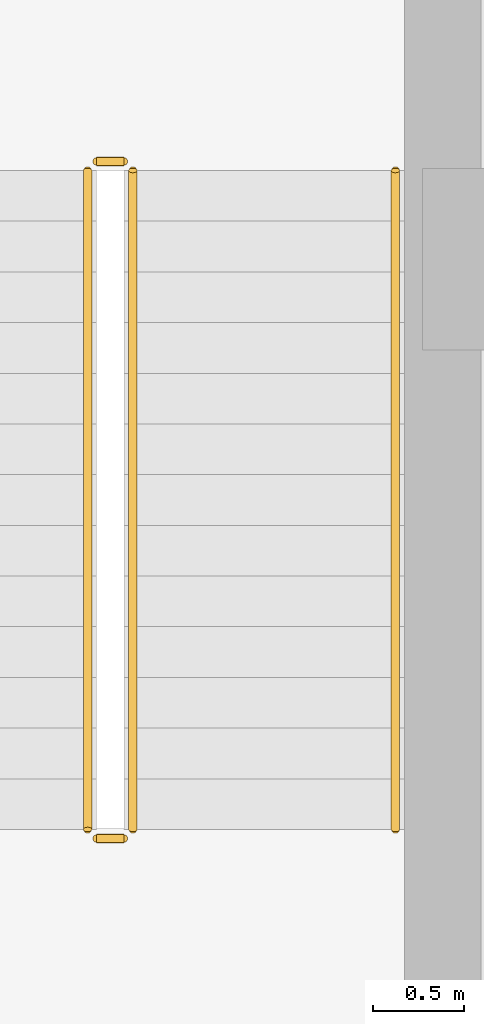
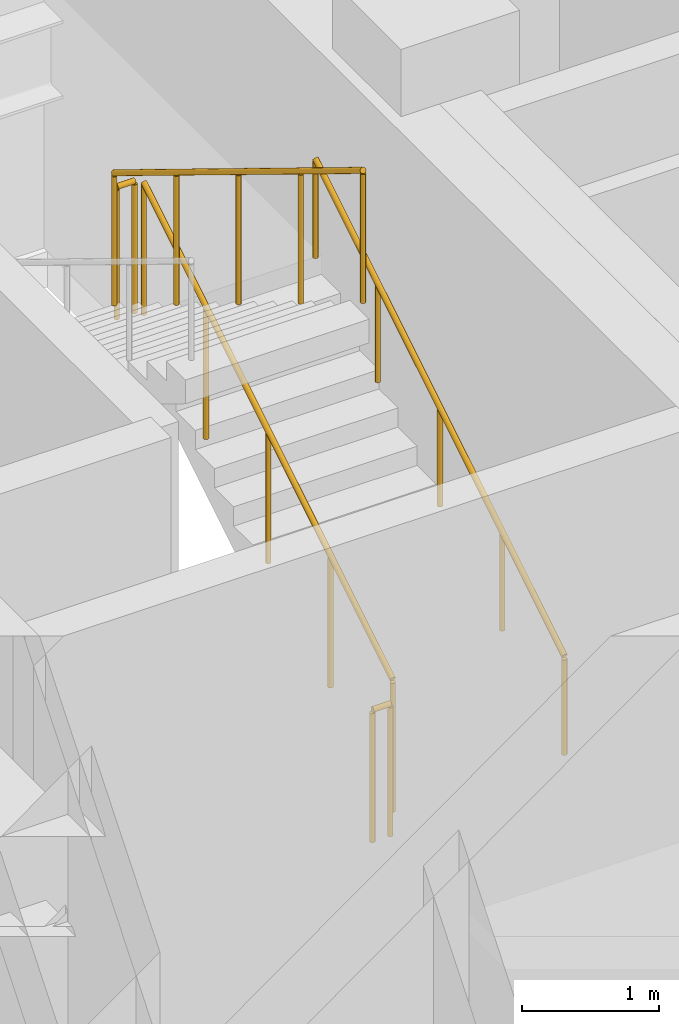
# One storey, part 34 of 35: 5 railings.
"""IFC4 building model written with IfcOpenShell, lengths in metres."""

from ifc_helpers import new_model, si_unit, direction, frame, origin, origin_2d, place, context, subcontext, project, spatial, circle, extrude, source, transform, mapped, material, type_object, element, save


model = new_model("IFC4")

# Units and contexts
model_context = context("Model", 3, precision=1e-05, world=origin(), true_north=direction((0.0, 1.0)))
body_context = subcontext(model_context, "Body", "Model", "MODEL_VIEW")
ifc_project = project(units=[si_unit("LENGTHUNIT", "METRE"), si_unit("AREAUNIT", "SQUARE_METRE"), si_unit("VOLUMEUNIT", "CUBIC_METRE"), si_unit("PLANEANGLEUNIT", "RADIAN"), si_unit("MASSUNIT", "GRAM", prefix="KILO")], contexts=[model_context])

# Site, building, storey
site_placement = place(None, origin())
site = spatial("IfcSite", under=ifc_project, at=site_placement, CompositionType="ELEMENT")
building_placement = place(site_placement, origin())
building = spatial("IfcBuilding", under=site, at=building_placement, Name="Khorayat Bourse Tower", CompositionType="ELEMENT")
storey_placement = place(building_placement, frame((0.0, 0.0, 22.199951171875)))
storey = spatial("IfcBuildingStorey", under=building, at=storey_placement, Name="L04", CompositionType="ELEMENT", Elevation=22.199951171875)

# Railings
ifc_material_1 = material(Name="Powder-coated steel balustrade", Category="steel")
railing_type_1 = type_object("IfcRailingType", Name="RLG-GUARD-1200", PredefinedType="GUARDRAIL", material=ifc_material_1)
shared_shape_1 = source(origin(), body_context, "Body", "SweptSolid", [
    extrude(circle(Radius=0.02392578125, at=origin_2d()), frame((0.0, 0.0, 1.17578125), z_axis=(-1.0, 0.0, 0.0), x_axis=(0.0, -1.0, 0.0)), (0.0, 0.0, 1.0), 0.150146484375),
    extrude(circle(Radius=0.02099609375, at=origin_2d()), origin(), (0.0, 0.0, 1.0), 1.15185546875),
    extrude(circle(Radius=0.02099609375, at=origin_2d()), frame((-0.150146484375, 0.0, 0.0)), (0.0, 0.0, 1.0), 1.15185546875),
])
for number, where, name in (
    (1, (-6.64990234375, 6.5400390625, 2.400146484375), "L04 ST-2 stair guard 2"),
    (2, (-6.64990234375, 2.800048828125, 0.0), "L04 ST-2 stair guard 4"),
):
    element("IfcRailing", number, at=place(storey_placement, frame(where)), inside=storey, type_object=railing_type_1, Name=name, PredefinedType="GUARDRAIL", context=body_context, shape_type="MappedRepresentation", body=[
        mapped(shared_shape_1, transform((0.0, 0.0, 0.0), scale=1.0)),
    ])
shared_shape_2 = source(origin(), body_context, "Body", "SweptSolid", [
    extrude(circle(Radius=0.02392578125, at=origin_2d()), frame((0.0, 0.0, 1.17578125), z_axis=(0.0, -0.852850264322, 0.5221555579), x_axis=(1.0, 0.0, 0.0)), (0.0, 0.0, 1.0), 4.267822265625),
    extrude(circle(Radius=0.02099609375, at=origin_2d()), origin(), (0.0, 0.0, 1.0), 1.15185546875),
    extrude(circle(Radius=0.02099609375, at=origin_2d()), frame((0.0, -0.909912109375, 0.55712890625)), (0.0, 0.0, 1.0), 1.15185546875),
    extrude(circle(Radius=0.02099609375, at=origin_2d()), frame((0.0, -1.81982421875, 1.1142578125)), (0.0, 0.0, 1.0), 1.15185546875),
    extrude(circle(Radius=0.02099609375, at=origin_2d()), frame((0.0, -2.72998046875, 1.67138671875)), (0.0, 0.0, 1.0), 1.15185546875),
    extrude(circle(Radius=0.02099609375, at=origin_2d()), frame((0.0, -3.639892578125, 2.228515625)), (0.0, 0.0, 1.0), 1.15185546875),
])
railing_1_placement = place(storey_placement, frame((-6.85009765625, 6.489990234375, 2.571533203125)))
element("IfcRailing", 3, at=railing_1_placement, inside=storey, type_object=railing_type_1, Name="L04 ST-2 stair guard 3", PredefinedType="GUARDRAIL", context=body_context, shape_type="MappedRepresentation", body=[
    mapped(shared_shape_2, transform((0.0, 0.0, 0.0), scale=1.0)),
])
shared_shape_3 = source(origin(), body_context, "Body", "SweptSolid", [
    extrude(circle(Radius=0.02392578125, at=origin_2d()), frame((0.0, 0.0, 1.17578125), z_axis=(0.0, 0.852824790078, 0.522197163366), x_axis=(-1.0, 0.0, 0.0)), (0.0, 0.0, 1.0), 4.26806640625),
    extrude(circle(Radius=0.02099609375, at=origin_2d()), origin(), (0.0, 0.0, 1.0), 1.15185546875),
    extrude(circle(Radius=0.02099609375, at=origin_2d()), frame((0.0, 0.909912109375, 0.55712890625)), (0.0, 0.0, 1.0), 1.15185546875),
    extrude(circle(Radius=0.02099609375, at=origin_2d()), frame((0.0, 1.81982421875, 1.1142578125)), (0.0, 0.0, 1.0), 1.15185546875),
    extrude(circle(Radius=0.02099609375, at=origin_2d()), frame((0.0, 2.72998046875, 1.671630859375)), (0.0, 0.0, 1.0), 1.15185546875),
    extrude(circle(Radius=0.02099609375, at=origin_2d()), frame((0.0, 3.639892578125, 2.228759765625)), (0.0, 0.0, 1.0), 1.15185546875),
])
railing_2_placement = place(storey_placement, frame((-6.60009765625, 2.85009765625, 0.17138671875)))
element("IfcRailing", 4, at=railing_2_placement, inside=storey, type_object=railing_type_1, Name="L04 ST-2 stair guard 1", PredefinedType="GUARDRAIL", context=body_context, shape_type="MappedRepresentation", body=[
    mapped(shared_shape_3, transform((0.0, 0.0, 0.0), scale=1.0)),
])
ifc_material_2 = material(Name="Brushed bronze stainless-steel handrail", Category="steel")
railing_type_2 = type_object("IfcRailingType", Name="RLG-HAND-900", PredefinedType="HANDRAIL", material=ifc_material_2)
shared_shape_4 = source(origin(), body_context, "Body", "SweptSolid", [
    extrude(circle(Radius=0.02392578125, at=origin_2d()), frame((0.0, 0.0, 0.8759765625), z_axis=(0.0, 0.852824790078, 0.522197163366), x_axis=(-1.0, 0.0, 0.0)), (0.0, 0.0, 1.0), 4.26806640625),
    extrude(circle(Radius=0.02099609375, at=origin_2d()), origin(), (0.0, 0.0, 1.0), 0.851806640625),
    extrude(circle(Radius=0.02099609375, at=origin_2d()), frame((0.0, 0.909912109375, 0.55712890625)), (0.0, 0.0, 1.0), 0.851806640625),
    extrude(circle(Radius=0.02099609375, at=origin_2d()), frame((0.0, 1.81982421875, 1.1142578125)), (0.0, 0.0, 1.0), 0.851806640625),
    extrude(circle(Radius=0.02099609375, at=origin_2d()), frame((0.0, 2.72998046875, 1.671630859375)), (0.0, 0.0, 1.0), 0.851806640625),
    extrude(circle(Radius=0.02099609375, at=origin_2d()), frame((0.0, 3.639892578125, 2.228759765625)), (0.0, 0.0, 1.0), 0.851806640625),
])
railing_3_placement = place(storey_placement, frame((-5.14990234375, 2.85009765625, 0.17138671875)))
element("IfcRailing", 5, at=railing_3_placement, inside=storey, type_object=railing_type_2, Name="L04 ST-2 stair handrail 1", PredefinedType="HANDRAIL", context=body_context, shape_type="MappedRepresentation", body=[
    mapped(shared_shape_4, transform((0.0, 0.0, 0.0), scale=1.0)),
])

save(model, "model.ifc")
